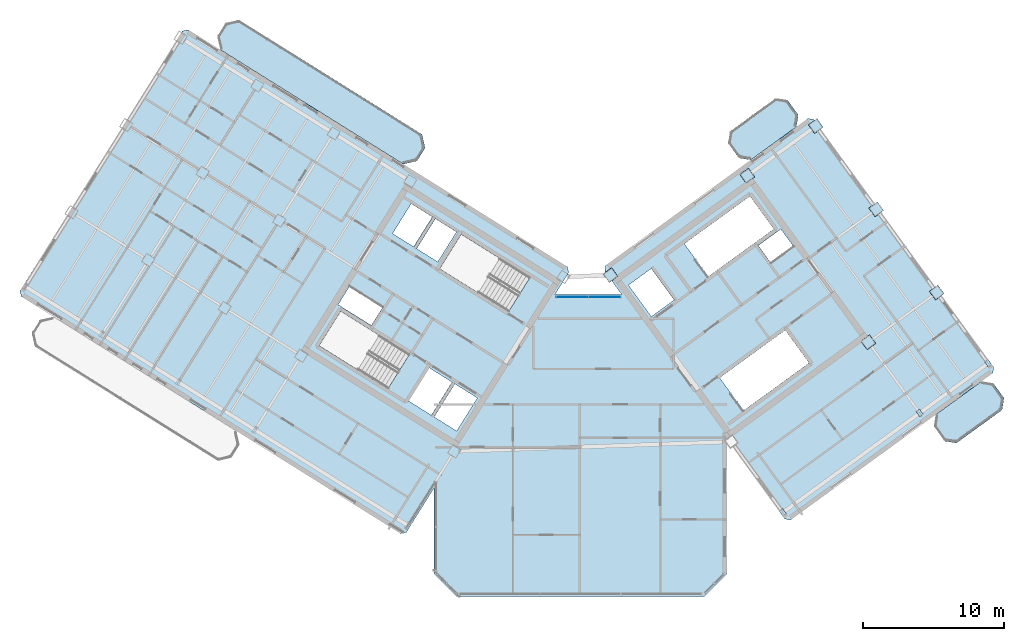
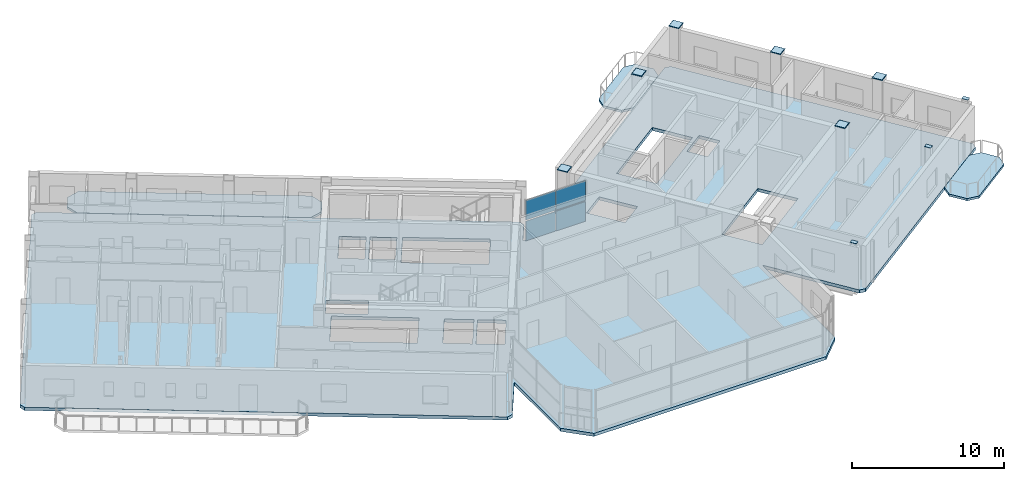
# One storey, part 15 of 25: 19 plates, 4 slabs, 1 element without a shape of its own.
"""IFC4 building model written with IfcOpenShell, lengths in metres."""

from ifc_helpers import new_model, si_unit, direction, frame, origin, origin_2d, place, context, subcontext, project, spatial, polyline, rectangle, outline, extrude, source, transform, mapped, material, layer, layer_set, type_object, element, aggregate, save


model = new_model("IFC4")

# Units and contexts
model_context = context("Model", 3, precision=1e-05, world=origin(), true_north=direction((0.0, 1.0)))
body_context = subcontext(model_context, "Body", "Model", "MODEL_VIEW")
ifc_project = project(units=[si_unit("LENGTHUNIT", "METRE"), si_unit("AREAUNIT", "SQUARE_METRE"), si_unit("VOLUMEUNIT", "CUBIC_METRE"), si_unit("PLANEANGLEUNIT", "RADIAN"), si_unit("MASSUNIT", "GRAM", prefix="KILO")], contexts=[model_context])

# Site, building, storey
site_placement = place(None, origin())
site = spatial("IfcSite", under=ifc_project, at=site_placement, CompositionType="ELEMENT")
building_placement = place(site_placement, origin())
building = spatial("IfcBuilding", under=site, at=building_placement, Name="Tlacorven Tower", CompositionType="ELEMENT")
storey_placement = place(building_placement, frame((0.0, 0.0, 259.199951171875)))
storey = spatial("IfcBuildingStorey", under=building, at=storey_placement, Name="L65", CompositionType="ELEMENT", Elevation=259.199951171875)

# Slabs
ifc_material_1 = material(Name="Precast concrete C45/55", Category="concrete")
ifc_layer_1 = layer(ifc_material_1, 0.179931640625)
ifc_layer_set_1 = layer_set([ifc_layer_1], Name="Precast concrete C45/55")
slab_type_1 = type_object("IfcSlabType", Name="SL-BAL-180", PredefinedType="USERDEFINED", material=ifc_layer_set_1)
slab_1_placement = place(storey_placement, frame((0.0, 0.0, -0.179931640625)))
element("IfcSlab", 1, at=slab_1_placement, inside=storey, type_object=slab_type_1, Name="L65 West Wing Balcony Ribbon IN", ObjectType="BALCONY SLAB", PredefinedType="USERDEFINED", context=body_context, shape_type="SweptSolid", body=[
    extrude(outline(polyline([(30.756591796875, 34.57763671875), (17.781494140625, 42.685546875), (16.81689453125, 42.462890625), (16.236572265625, 41.5341796875), (16.459228515625, 40.569580078125), (29.434326171875, 32.4619140625), (30.39892578125, 32.6845703125), (30.979248046875, 33.613037109375), (30.756591796875, 34.57763671875)])), origin(), (0.0, 0.0, 1.0), 0.179931640625),
])
slab_2_placement = place(storey_placement, frame((0.0, 0.0, -0.179931640625)))
element("IfcSlab", 2, at=slab_2_placement, inside=storey, type_object=slab_type_1, Name="L65 East Wing Balcony Ribbon OUT", ObjectType="BALCONY SLAB", PredefinedType="USERDEFINED", context=body_context, shape_type="SweptSolid", body=[
    extrude(outline(polyline([(68.669921875, 12.678955078125), (71.906005859375, 15.0302734375), (72.03857421875, 15.8681640625), (71.27734375, 16.916015625), (70.439453125, 17.048583984375), (67.203369140625, 14.697509765625), (67.070556640625, 13.859375), (67.831787109375, 12.811767578125), (68.669921875, 12.678955078125)])), origin(), (0.0, 0.0, 1.0), 0.179931640625),
])
slab_3_placement = place(storey_placement, frame((0.0, 0.0, -0.179931640625)))
element("IfcSlab", 3, at=slab_3_placement, inside=storey, type_object=slab_type_1, Name="L65 East Wing Balcony Ribbon IN", ObjectType="BALCONY SLAB", PredefinedType="USERDEFINED", context=body_context, shape_type="SweptSolid", body=[
    extrude(outline(polyline([(54.078125, 32.762939453125), (57.314208984375, 35.114013671875), (57.44677734375, 35.9521484375), (56.685791015625, 36.999755859375), (55.84765625, 37.132568359375), (52.611572265625, 34.78125), (52.478759765625, 33.943359375), (53.239990234375, 32.8955078125), (54.078125, 32.762939453125)])), origin(), (0.0, 0.0, 1.0), 0.179931640625),
])
ifc_material_2 = material(Name="Concrete C40/50", Category="concrete")
ifc_layer_2 = layer(ifc_material_2, 0.25)
ifc_layer_set_2 = layer_set([ifc_layer_2], Name="Concrete C40/50")
slab_type_2 = type_object("IfcSlabType", Name="SL-TWR-250", PredefinedType="FLOOR", material=ifc_layer_set_2)
slab_4_placement = place(storey_placement, frame((0.0, 0.0, -0.25)))
element("IfcSlab", 4, at=slab_4_placement, inside=storey, type_object=slab_type_2, Name="L65 Boomerang Tower Floor Slab", PredefinedType="FLOOR", context=body_context, shape_type="SweptSolid", body=[
    extrude(outline(polyline([(52.39990234375, 3.39990234375), (50.800048828125, 1.800048828125), (33.199951171875, 1.800048828125), (31.60009765625, 3.39990234375), (31.60009765625, 9.470703125), (29.652587890625, 6.35400390625), (29.2392578125, 6.258544921875), (2.339111328125, 23.067626953125), (2.24365234375, 23.481201171875), (13.75341796875, 41.900634765625), (14.1669921875, 41.99609375), (41.06689453125, 25.18701171875), (41.162353515625, 24.773681640625), (40.178955078125, 23.199951171875), (44.932373046875, 23.199951171875), (43.723876953125, 24.86328125), (43.790283203125, 25.2822265625), (58.1259765625, 35.69775390625), (58.545166015625, 35.63134765625), (71.311767578125, 18.0595703125), (71.245361328125, 17.640380859375), (56.90966796875, 7.224853515625), (56.49072265625, 7.291259765625), (52.39990234375, 12.921630859375), (52.39990234375, 3.39990234375)]), holes=[polyline([(29.865478515625, 18.979736328125), (24.9892578125, 22.02685546875), (23.463134765625, 19.58447265625), (28.33935546875, 16.537353515625), (29.865478515625, 18.979736328125)]), polyline([(38.4169921875, 24.4375), (33.540771484375, 27.484375), (32.0146484375, 25.0419921875), (36.890869140625, 21.9951171875), (38.4169921875, 24.4375)]), polyline([(51.05908203125, 24.481689453125), (55.7109375, 27.861572265625), (54.01806640625, 30.19140625), (49.3662109375, 26.811767578125), (51.05908203125, 24.481689453125)]), polyline([(53.56298828125, 14.978759765625), (58.21484375, 18.3583984375), (56.52197265625, 20.6884765625), (51.8701171875, 17.30859375), (53.56298828125, 14.978759765625)]), polyline([(34.682373046875, 15.87548828125), (33.088134765625, 16.871826171875), (31.62548828125, 14.531005859375), (33.2197265625, 13.534912109375), (34.682373046875, 15.87548828125)]), polyline([(32.884521484375, 16.9990234375), (31.2392578125, 18.02685546875), (29.77685546875, 15.686279296875), (31.421875, 14.658203125), (32.884521484375, 16.9990234375)]), polyline([(47.0234375, 21.648681640625), (48.6416015625, 22.82421875), (47.019287109375, 25.05712890625), (45.401123046875, 23.881591796875), (47.0234375, 21.648681640625)]), polyline([(33.197265625, 27.65185546875), (31.704833984375, 28.58447265625), (30.3798828125, 26.46435546875), (31.87255859375, 25.53173828125), (33.197265625, 27.65185546875)]), polyline([(31.484375, 28.722412109375), (29.99169921875, 29.655029296875), (28.6669921875, 27.534912109375), (30.159423828125, 26.602294921875), (31.484375, 28.722412109375)]), polyline([(27.96142578125, 22.2919921875), (25.603759765625, 23.76513671875), (24.80908203125, 22.4931640625), (27.16650390625, 21.02001953125), (27.96142578125, 22.2919921875)]), polyline([(55.490478515625, 25.4765625), (57.092529296875, 26.640380859375), (56.210693359375, 27.85400390625), (54.60888671875, 26.690185546875), (55.490478515625, 25.4765625)])]), origin(), (0.0, 0.0, 1.0), 0.25),
])

# Plates
ifc_material_3 = material(Name="Steel S460M", Category="steel")
ifc_layer_3 = layer(ifc_material_3, 0.02001953125)
ifc_layer_set_3 = layer_set([ifc_layer_3], Name="Steel S460M")
plate_type_1 = type_object("IfcPlateType", Name="PL-CAP-END2", PredefinedType="USERDEFINED", material=ifc_layer_set_3)
shared_shape_1 = source(origin(), body_context, "Body", "SweptSolid", [
    extrude(rectangle(XDim=0.760009765625, YDim=0.760009765625, at=origin_2d()), origin(), (0.0, 0.0, 1.0), 0.02001953125),
])
for number, where, z_axis, x_axis, name in (
    (5, (44.123779296875, 24.5849609375, 3.580078125), (0.0, 0.0, 1.0), (0.809016994375, 0.587785252292, 0.0), "L65 Box Column Top Cap Plate COL-L65-E1-4"),
    (6, (62.41357421875, 19.826904296875, 3.580078125), (0.0, 0.0, 1.0), (0.809016994375, 0.587785252292, 0.0), "L65 Box Column Top Cap Plate COL-L65-E3-2"),
    (7, (53.83203125, 31.638427734375, 3.580078125), (0.0, 0.0, 1.0), (0.809016994375, 0.587785252292, 0.0), "L65 Box Column Top Cap Plate COL-L65-E3-4"),
    (8, (67.267822265625, 23.353515625, 3.580078125), (0.0, 0.0, 1.0), (0.809016994375, 0.587785252292, 0.0), "L65 Box Column Top Cap Plate COL-L65-E4-2"),
    (9, (62.976806640625, 29.25927734375, 3.580078125), (0.0, 0.0, 1.0), (0.809016994375, 0.587785252292, 0.0), "L65 Box Column Top Cap Plate COL-L65-E4-3"),
    (10, (58.68603515625, 35.165283203125, 3.580078125), (0.0, 0.0, 1.0), (0.809016994375, 0.587785252292, 0.0), "L65 Box Column Top Cap Plate COL-L65-E4-4"),
):
    element("IfcPlate", number, at=place(storey_placement, frame(where, z_axis=z_axis, x_axis=x_axis)), inside=storey, type_object=plate_type_1, Name=name, ObjectType="END PLATE", PredefinedType="USERDEFINED", context=body_context, shape_type="MappedRepresentation", body=[
        mapped(shared_shape_1, transform((0.0, 0.0, 0.0), scale=1.0)),
    ])
ifc_layer_4 = layer(ifc_material_3, 0.02392578125)
ifc_layer_set_4 = layer_set([ifc_layer_4], Name="Steel S460M")
plate_type_2 = type_object("IfcPlateType", Name="PL-CAP-END1", PredefinedType="USERDEFINED", material=ifc_layer_set_4)
shared_shape_2 = source(origin(), body_context, "Body", "SweptSolid", [
    extrude(rectangle(XDim=0.300048828125, YDim=0.449951171875, at=origin_2d()), origin(), (0.0, 0.0, 1.0), 0.02392578125),
])
for number, where, z_axis, x_axis, name in (
    (11, (56.349609375, 7.757568359375, 3.59814453125), (0.0, 0.0, 1.0), (0.809016994375, 0.587785252292, 0.0), "L65 Hollow Column Top Cap Plate COL-L65-E1-1"),
    (12, (66.057861328125, 14.81103515625, 3.59814453125), (0.0, 0.0, 1.0), (0.809016994375, 0.587785252292, 0.0), "L65 Hollow Column Top Cap Plate COL-L65-E3-1"),
    (13, (70.912109375, 18.337646484375, 3.59814453125), (0.0, 0.0, 1.0), (0.809016994375, 0.587785252292, 0.0), "L65 Hollow Column Top Cap Plate COL-L65-E4-1"),
):
    element("IfcPlate", number, at=place(storey_placement, frame(where, z_axis=z_axis, x_axis=x_axis)), inside=storey, type_object=plate_type_2, Name=name, ObjectType="END PLATE", PredefinedType="USERDEFINED", context=body_context, shape_type="MappedRepresentation", body=[
        mapped(shared_shape_2, transform((0.0, 0.0, 0.0), scale=1.0)),
    ])
shared_shape_3 = source(origin(), body_context, "Body", "SweptSolid", [
    extrude(rectangle(XDim=0.699951171875, YDim=0.699951171875, at=origin_2d()), origin(), (0.0, 0.0, 1.0), 0.02392578125),
])
for number, where, z_axis, x_axis, name in (
    (14, (44.123779296875, 24.5849609375, 3.59814453125), (0.0, 0.0, 1.0), (0.809016994375, 0.587785252292, 0.0), "L65 Hollow Column Top Cap Plate COL-L65-E1-4"),
    (15, (62.41357421875, 19.826904296875, 3.59814453125), (0.0, 0.0, 1.0), (0.809016994375, 0.587785252292, 0.0), "L65 Hollow Column Top Cap Plate COL-L65-E3-2"),
    (16, (53.83203125, 31.638427734375, 3.59814453125), (0.0, 0.0, 1.0), (0.809016994375, 0.587785252292, 0.0), "L65 Hollow Column Top Cap Plate COL-L65-E3-4"),
    (17, (67.267822265625, 23.353515625, 3.59814453125), (0.0, 0.0, 1.0), (0.809016994375, 0.587785252292, 0.0), "L65 Hollow Column Top Cap Plate COL-L65-E4-2"),
    (18, (62.976806640625, 29.25927734375, 3.59814453125), (0.0, 0.0, 1.0), (0.809016994375, 0.587785252292, 0.0), "L65 Hollow Column Top Cap Plate COL-L65-E4-3"),
    (19, (58.68603515625, 35.165283203125, 3.59814453125), (0.0, 0.0, 1.0), (0.809016994375, 0.587785252292, 0.0), "L65 Hollow Column Top Cap Plate COL-L65-E4-4"),
):
    element("IfcPlate", number, at=place(storey_placement, frame(where, z_axis=z_axis, x_axis=x_axis)), inside=storey, type_object=plate_type_2, Name=name, ObjectType="END PLATE", PredefinedType="USERDEFINED", context=body_context, shape_type="MappedRepresentation", body=[
        mapped(shared_shape_3, transform((0.0, 0.0, 0.0), scale=1.0)),
    ])

# Curtain wall, plates
ifc_material_4 = material(Name="Dark solar low-E double glazing in aluminium frame", Category="aluminium")
curtain_wall_type = type_object("IfcCurtainWallType", Name="CW-TWR-HIGH", PredefinedType="USERDEFINED", material=ifc_material_4)
curtain_wall_placement = place(storey_placement, origin())
curtain_wall = element("IfcCurtainWall", 20, at=curtain_wall_placement, inside=storey, type_object=curtain_wall_type, Name="L65 CW-TWR-HIGH Curtain Wall 307", ObjectType="UNITISED CURTAIN WALL", PredefinedType="USERDEFINED")
ifc_material_5 = material(Name="High-wind dark solar tempered low-E glazing", Category="glass")
ifc_layer_5 = layer(ifc_material_5, 0.028076171875)
ifc_layer_set_5 = layer_set([ifc_layer_5], Name="High-wind dark solar tempered low-E glazing")
plate_type_3 = type_object("IfcPlateType", Name="CWP-03", PredefinedType="CURTAIN_PANEL", material=ifc_layer_set_5)
shared_shape_4 = source(origin(), body_context, "Body", "SweptSolid", [
    extrude(rectangle(XDim=2.246337890625, YDim=0.028076171875, at=origin_2d()), origin(), (0.0, 0.0, 1.0), 1.572998046875),
])
plate_1_placement = place(storey_placement, frame((41.41796875, 23.0400390625, 0.05126953125), z_axis=(0.0, 0.0, 1.0), x_axis=(1.0, 0.0, 0.0)))
plate_1 = element("IfcPlate", 21, at=plate_1_placement, type_object=plate_type_3, Name="CW-L65-307 Glazing Panel 1", PredefinedType="CURTAIN_PANEL", context=body_context, shape_type="MappedRepresentation", body=[
    mapped(shared_shape_4, transform((0.0, 0.0, 0.0), scale=1.0)),
])
plate_2_placement = place(storey_placement, frame((41.41796875, 23.0400390625, 1.72607421875), z_axis=(0.0, 0.0, 1.0), x_axis=(1.0, 0.0, 0.0)))
plate_2 = element("IfcPlate", 22, at=plate_2_placement, type_object=plate_type_3, Name="CW-L65-307 Glazing Panel 2", PredefinedType="CURTAIN_PANEL", context=body_context, shape_type="MappedRepresentation", body=[
    mapped(shared_shape_4, transform((0.0, 0.0, 0.0), scale=1.0)),
])
plate_3_placement = place(storey_placement, frame((43.706298828125, 23.0400390625, 0.05126953125), z_axis=(0.0, 0.0, 1.0), x_axis=(1.0, 0.0, 0.0)))
plate_3 = element("IfcPlate", 23, at=plate_3_placement, type_object=plate_type_3, Name="CW-L65-307 Glazing Panel 3", PredefinedType="CURTAIN_PANEL", context=body_context, shape_type="MappedRepresentation", body=[
    mapped(shared_shape_4, transform((0.0, 0.0, 0.0), scale=1.0)),
])
plate_4_placement = place(storey_placement, frame((43.706298828125, 23.0400390625, 1.72607421875), z_axis=(0.0, 0.0, 1.0), x_axis=(1.0, 0.0, 0.0)))
plate_4 = element("IfcPlate", 24, at=plate_4_placement, type_object=plate_type_3, Name="CW-L65-307 Glazing Panel 4", PredefinedType="CURTAIN_PANEL", context=body_context, shape_type="MappedRepresentation", body=[
    mapped(shared_shape_4, transform((0.0, 0.0, 0.0), scale=1.0)),
])
aggregate(curtain_wall, [plate_1, plate_2, plate_3, plate_4])

save(model, "model.ifc")
